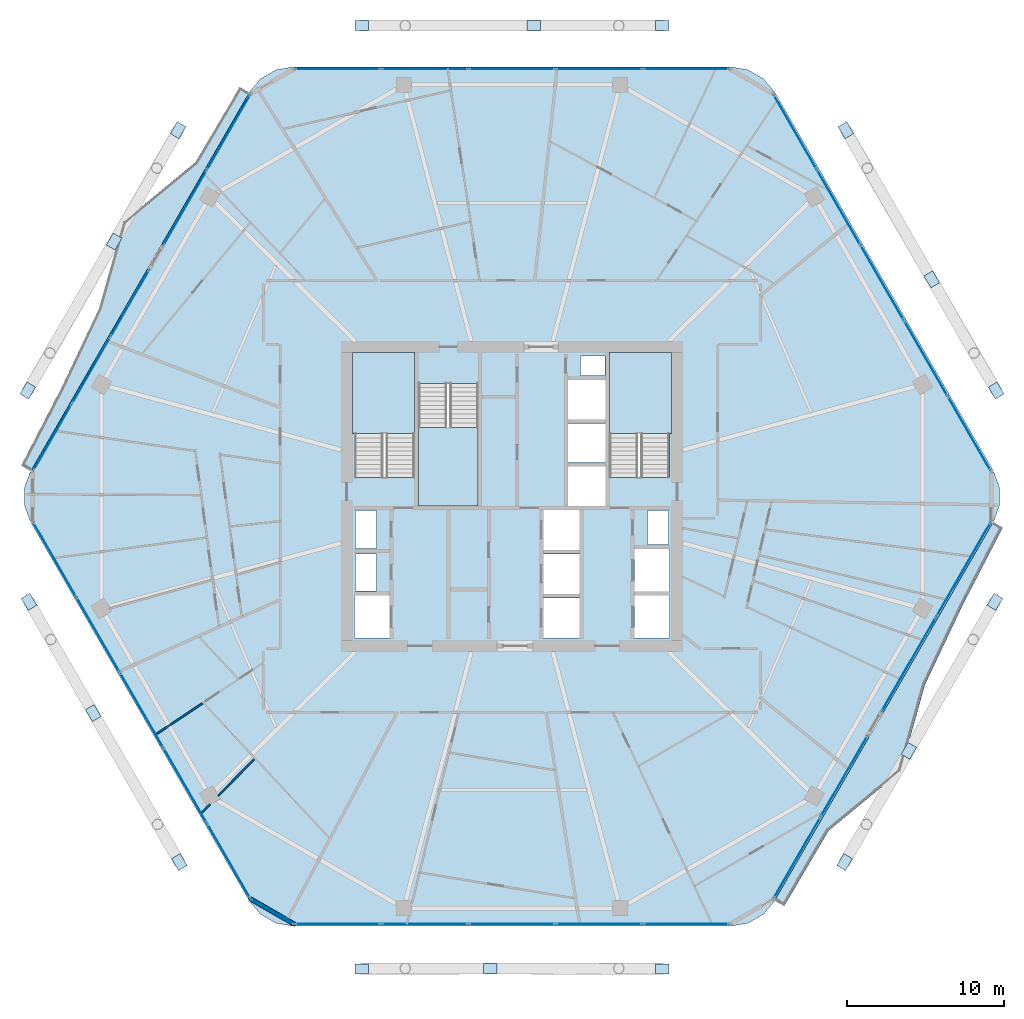
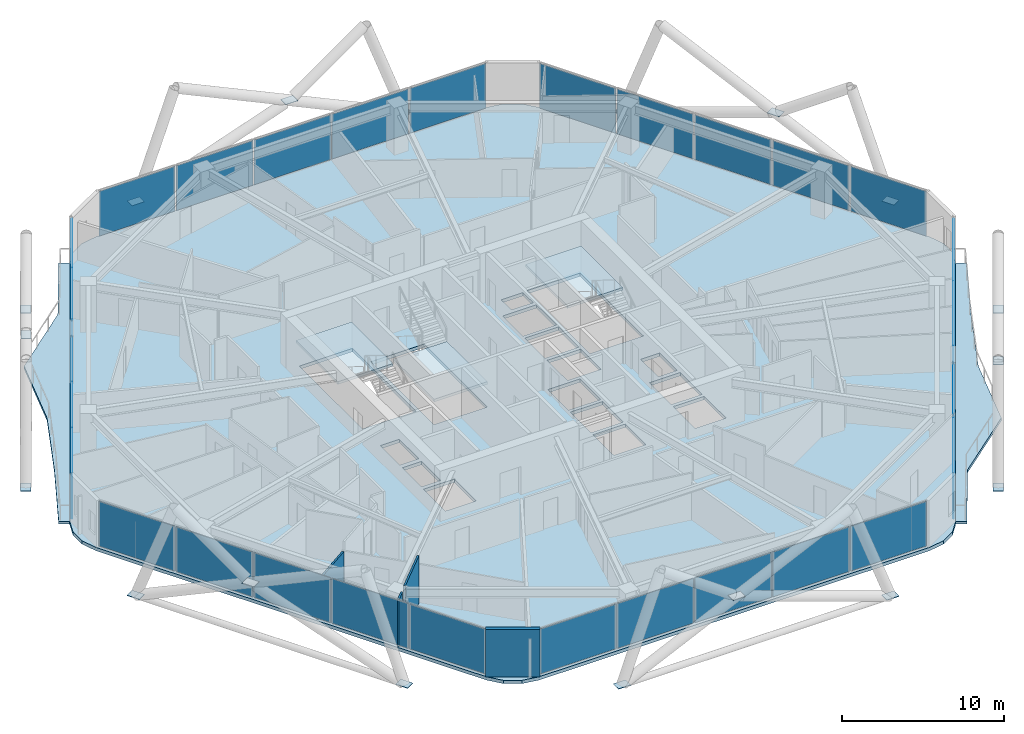
# One storey, part 21 of 30: 47 plates, 6 slabs, 4 walls, 11 elements without a shape of their own.
"""IFC4 building model written with IfcOpenShell, lengths in metres."""

from ifc_helpers import new_model, si_unit, direction, frame, frame_2d, origin, origin_2d, place, context, subcontext, project, spatial, polyline, rectangle, outline, extrude, material, layer, layer_set, type_object, element, aggregate, save


model = new_model("IFC4")

# Units and contexts
model_context = context("Model", 3, precision=1e-05, world=origin(), true_north=direction((0.0, 1.0)))
body_context = subcontext(model_context, "Body", "Model", "MODEL_VIEW")
ifc_project = project(units=[si_unit("LENGTHUNIT", "METRE"), si_unit("AREAUNIT", "SQUARE_METRE"), si_unit("VOLUMEUNIT", "CUBIC_METRE"), si_unit("PLANEANGLEUNIT", "RADIAN"), si_unit("MASSUNIT", "GRAM", prefix="KILO")], contexts=[model_context])

# Site, building, storey
site_placement = place(None, origin())
site = spatial("IfcSite", under=ifc_project, at=site_placement, CompositionType="ELEMENT")
building_placement = place(site_placement, origin())
building = spatial("IfcBuilding", under=site, at=building_placement, Name="Zuhravey Tower", CompositionType="ELEMENT")
storey_placement = place(building_placement, frame((0.0, 0.0, 177.0)))
storey = spatial("IfcBuildingStorey", under=building, at=storey_placement, Name="L44", CompositionType="ELEMENT", Elevation=177.0)

# Plates
ifc_material_1 = material(Name="Steel SM460", Category="steel")
ifc_layer_1 = layer(ifc_material_1, 0.035888671875)
ifc_layer_set_1 = layer_set([ifc_layer_1], Name="Steel SM460")
plate_type_1 = type_object("IfcPlateType", Name="Exoskeleton Zone 2 Node Plate ND2", PredefinedType="SHEET", material=ifc_layer_set_1)
for number, where, z_axis, x_axis, name in (
    (1, (66.786865234375, 38.74169921875, -0.48193359375), (0.0, 0.0, 1.0), (-0.5, 0.866025403784, 0.0), "L44 Exoskeleton Node Gusset L44-01"),
    (2, (57.23193359375, 55.29150390625, -0.48193359375), (0.0, 0.0, 1.0), (-0.5, 0.866025403784, 0.0), "L44 Exoskeleton Node Gusset L44-02"),
    (3, (45.554931640625, 61.943115234375, -0.48193359375), (0.0, 0.0, 1.0), (-1.0, 0.0, 0.0), "L44 Exoskeleton Node Gusset L44-03"),
    (4, (26.445068359375, 61.943115234375, -0.48193359375), (0.0, 0.0, 1.0), (-1.0, 0.0, 0.0), "L44 Exoskeleton Node Gusset L44-04"),
    (5, (14.76806640625, 55.29150390625, -0.48193359375), (0.0, 0.0, 1.0), (-0.5, -0.866025403784, 0.0), "L44 Exoskeleton Node Gusset L44-05"),
    (6, (5.213134765625, 38.74169921875, -0.48193359375), (0.0, 0.0, 1.0), (-0.5, -0.866025403784, 0.0), "L44 Exoskeleton Node Gusset L44-06"),
    (7, (5.291015625, 25.30322265625, -0.48193359375), (0.0, 0.0, 1.0), (0.5, -0.866025403784, 0.0), "L44 Exoskeleton Node Gusset L44-07"),
    (8, (14.845947265625, 8.753662109375, -0.48193359375), (0.0, 0.0, 1.0), (0.5, -0.866025403784, 0.0), "L44 Exoskeleton Node Gusset L44-08"),
    (9, (26.445068359375, 1.966796875, -0.48193359375), (0.0, 0.0, 1.0), (1.0, 0.0, 0.0), "L44 Exoskeleton Node Gusset L44-09"),
    (10, (45.554931640625, 1.966796875, -0.48193359375), (0.0, 0.0, 1.0), (1.0, 0.0, 0.0), "L44 Exoskeleton Node Gusset L44-10"),
    (11, (57.154052734375, 8.753662109375, -0.48193359375), (0.0, 0.0, 1.0), (0.5, 0.866025403784, 0.0), "L44 Exoskeleton Node Gusset L44-11"),
    (12, (66.708984375, 25.30322265625, -0.48193359375), (0.0, 0.0, 1.0), (0.5, 0.866025403784, 0.0), "L44 Exoskeleton Node Gusset L44-12"),
    (13, (62.68994140625, 45.807861328125, 3.31787109375), (0.0, 0.0, 1.0), (-0.5, 0.866025403784, 0.0), "L44 Face 1 Diagrid X-Crossing Plate"),
    (14, (37.386962890625, 61.943115234375, 3.31787109375), (0.0, 0.0, 1.0), (-1.0, 0.0, 0.0), "L44 Face 2 Diagrid X-Crossing Plate"),
    (15, (10.697021484375, 48.210205078125, 3.31787109375), (0.0, 0.0, 1.0), (-0.5, -0.866025403784, 0.0), "L44 Face 3 Diagrid X-Crossing Plate"),
    (16, (9.375, 18.2294921875, 3.31787109375), (0.0, 0.0, 1.0), (0.5, -0.866025403784, 0.0), "L44 Face 4 Diagrid X-Crossing Plate"),
    (17, (34.613037109375, 1.98193359375, 3.31787109375), (0.0, 0.0, 1.0), (1.0, 0.0, 0.0), "L44 Face 5 Diagrid X-Crossing Plate"),
    (18, (61.238037109375, 15.8271484375, 3.31787109375), (0.0, 0.0, 1.0), (0.5, 0.866025403784, 0.0), "L44 Face 6 Diagrid X-Crossing Plate"),
):
    element("IfcPlate", number, at=place(storey_placement, frame(where, z_axis=z_axis, x_axis=x_axis)), inside=storey, type_object=plate_type_1, Name=name, PredefinedType="SHEET", context=body_context, shape_type="SweptSolid", body=[
        extrude(rectangle(XDim=0.8798828125, YDim=0.639892578125, at=origin_2d()), origin(), (0.0, 0.0, 1.0), 0.035888671875),
    ])

# Slabs
ifc_material_2 = material(Name="Concrete C50/60", Category="concrete")
ifc_layer_2 = layer(ifc_material_2, 0.25)
ifc_layer_set_2 = layer_set([ifc_layer_2], Name="Concrete C50/60")
slab_type_1 = type_object("IfcSlabType", Name="Residential Acoustic Slab 250", PredefinedType="FLOOR", material=ifc_layer_set_2)
slab_1_placement = place(storey_placement, frame((0.0, 0.0, -0.25)))
element("IfcSlab", 19, at=slab_1_placement, inside=storey, type_object=slab_type_1, Name="L44 Floor Slab FS25", PredefinedType="FLOOR", context=body_context, shape_type="SweptSolid", body=[
    extrude(outline(polyline([(66.61181640625, 30.375), (66.997802734375, 31.435546875), (66.997802734375, 32.564453125), (66.61181640625, 33.625), (52.713134765625, 57.697998046875), (51.98779296875, 58.562744140625), (51.01025390625, 59.127197265625), (49.898681640625, 59.322998046875), (22.101318359375, 59.322998046875), (20.98974609375, 59.127197265625), (20.01220703125, 58.562744140625), (19.286865234375, 57.697998046875), (5.38818359375, 33.625), (5.002197265625, 32.564453125), (5.002197265625, 31.435546875), (5.38818359375, 30.375), (19.286865234375, 6.302001953125), (20.01220703125, 5.437255859375), (20.98974609375, 4.872802734375), (22.101318359375, 4.677001953125), (49.898681640625, 4.677001953125), (51.01025390625, 4.872802734375), (51.98779296875, 5.437255859375), (52.713134765625, 6.302001953125), (66.61181640625, 30.375)]), holes=[polyline([(29.800048828125, 33.20068359375), (29.800048828125, 41.0), (26.0, 41.0), (26.0, 33.20068359375), (29.800048828125, 33.20068359375)]), polyline([(46.0, 33.20068359375), (46.0, 41.0), (42.199951171875, 41.0), (42.199951171875, 33.20068359375), (46.0, 33.20068359375)]), polyline([(30.050048828125, 39.199462890625), (30.050048828125, 31.39990234375), (33.85009765625, 31.39990234375), (33.85009765625, 39.199462890625), (30.050048828125, 39.199462890625)]), polyline([(38.0, 23.0), (40.300048828125, 23.0), (40.300048828125, 25.550048828125), (38.0, 25.550048828125), (38.0, 23.0)]), polyline([(38.0, 25.800048828125), (40.300048828125, 25.800048828125), (40.300048828125, 28.35009765625), (38.0, 28.35009765625), (38.0, 25.800048828125)]), polyline([(38.0, 28.60009765625), (40.300048828125, 28.60009765625), (40.300048828125, 31.14990234375), (38.0, 31.14990234375), (38.0, 28.60009765625)]), polyline([(39.550048828125, 31.39990234375), (41.949951171875, 31.39990234375), (41.949951171875, 33.89990234375), (39.550048828125, 33.89990234375), (39.550048828125, 31.39990234375)]), polyline([(39.550048828125, 34.14990234375), (41.949951171875, 34.14990234375), (41.949951171875, 36.64990234375), (39.550048828125, 36.64990234375), (39.550048828125, 34.14990234375)]), polyline([(39.550048828125, 36.89990234375), (41.949951171875, 36.89990234375), (41.949951171875, 39.39990234375), (39.550048828125, 39.39990234375), (39.550048828125, 36.89990234375)]), polyline([(26.0, 23.0), (28.199951171875, 23.0), (28.199951171875, 25.699951171875), (26.0, 25.699951171875), (26.0, 23.0)]), polyline([(43.800048828125, 23.0), (46.0, 23.0), (46.0, 25.699951171875), (43.800048828125, 25.699951171875), (43.800048828125, 23.0)]), polyline([(43.800048828125, 25.949951171875), (46.0, 25.949951171875), (46.0, 28.64990234375), (43.800048828125, 28.64990234375), (43.800048828125, 25.949951171875)]), polyline([(26.050048828125, 26.0), (27.39990234375, 26.0), (27.39990234375, 28.35009765625), (26.050048828125, 28.35009765625), (26.050048828125, 26.0)]), polyline([(26.050048828125, 28.699951171875), (27.39990234375, 28.699951171875), (27.39990234375, 31.10009765625), (26.050048828125, 31.10009765625), (26.050048828125, 28.699951171875)]), polyline([(44.60009765625, 28.949951171875), (45.949951171875, 28.949951171875), (45.949951171875, 31.10009765625), (44.60009765625, 31.10009765625), (44.60009765625, 28.949951171875)]), polyline([(40.35009765625, 39.699951171875), (41.89990234375, 39.699951171875), (41.89990234375, 40.949951171875), (40.35009765625, 40.949951171875), (40.35009765625, 39.699951171875)])]), origin(), (0.0, 0.0, 1.0), 0.25),
])
ifc_material_3 = material(Name="Concrete C40/50", Category="concrete")
ifc_layer_3 = layer(ifc_material_3, 0.219970703125)
ifc_layer_set_3 = layer_set([ifc_layer_3], Name="Concrete C40/50")
slab_type_2 = type_object("IfcSlabType", Name="Sinusoidal Residential Wave Balcony 220", PredefinedType="FLOOR", material=ifc_layer_set_3)
slab_2_placement = place(storey_placement, frame((0.0, 0.0, -0.219970703125)))
element("IfcSlab", 20, at=slab_2_placement, inside=storey, type_object=slab_type_2, Name="L44 Face 3 Wave Balcony WB22", PredefinedType="FLOOR", context=body_context, shape_type="SweptSolid", body=[
    extrude(outline(polyline([(19.29541015625, 57.68310546875), (5.405517578125, 33.625), (4.79931640625, 33.97509765625), (7.350341796875, 38.917724609375), (9.73681640625, 43.955078125), (11.28955078125, 49.474365234375), (15.864990234375, 53.248291015625), (18.689208984375, 58.033203125), (19.29541015625, 57.68310546875)])), origin(), (0.0, 0.0, 1.0), 0.219970703125),
])
slab_3_placement = place(storey_placement, frame((0.0, 0.0, -0.219970703125)))
element("IfcSlab", 21, at=slab_3_placement, inside=storey, type_object=slab_type_2, Name="L44 Face 6 Wave Balcony WB22", PredefinedType="FLOOR", context=body_context, shape_type="SweptSolid", body=[
    extrude(outline(polyline([(52.70458984375, 6.31689453125), (66.594482421875, 30.375), (67.20068359375, 30.02490234375), (64.649658203125, 25.082275390625), (62.26318359375, 20.044921875), (60.71044921875, 14.525634765625), (56.135009765625, 10.751708984375), (53.310791015625, 5.966796875), (52.70458984375, 6.31689453125)])), origin(), (0.0, 0.0, 1.0), 0.219970703125),
])

# Stair, slab
stair_type = type_object("IfcStairType", Name="Housing Storey Stair Assembly 3800", PredefinedType="HALF_TURN_STAIR", material=ifc_material_3)
stair_1_placement = place(storey_placement, origin())
stair_1 = element("IfcStair", 22, at=stair_1_placement, inside=storey, type_object=stair_type, Name="L44 Core Exit Stair ST1", PredefinedType="HALF_TURN_STAIR")
ifc_layer_4 = layer(ifc_material_3, 0.199951171875)
ifc_layer_set_4 = layer_set([ifc_layer_4], Name="Concrete C40/50")
slab_type_3 = type_object("IfcSlabType", Name="Stair Landing Slab 200", PredefinedType="LANDING", material=ifc_layer_set_4)
slab_4_placement = place(storey_placement, frame((0.0, 0.0, 1.699951171875)))
slab_4 = element("IfcSlab", 23, at=slab_4_placement, type_object=slab_type_3, Name="ST1 landing 1", PredefinedType="LANDING", context=body_context, shape_type="SweptSolid", body=[
    extrude(outline(polyline([(29.800048828125, 36.0), (29.800048828125, 41.14794921875), (25.85205078125, 41.14794921875), (25.85205078125, 36.0), (29.800048828125, 36.0)])), origin(), (0.0, 0.0, 1.0), 0.199951171875),
])
aggregate(stair_1, [slab_4])

stair_2_placement = place(storey_placement, origin())
stair_2 = element("IfcStair", 24, at=stair_2_placement, inside=storey, type_object=stair_type, Name="L44 Core Exit Stair ST2", PredefinedType="HALF_TURN_STAIR")
slab_5_placement = place(storey_placement, frame((0.0, 0.0, 1.699951171875)))
slab_5 = element("IfcSlab", 25, at=slab_5_placement, type_object=slab_type_3, Name="ST2 landing 1", PredefinedType="LANDING", context=body_context, shape_type="SweptSolid", body=[
    extrude(outline(polyline([(46.14794921875, 36.0), (46.14794921875, 41.14794921875), (42.199951171875, 41.14794921875), (42.199951171875, 36.0), (46.14794921875, 36.0)])), origin(), (0.0, 0.0, 1.0), 0.199951171875),
])
aggregate(stair_2, [slab_5])

stair_3_placement = place(storey_placement, origin())
stair_3 = element("IfcStair", 26, at=stair_3_placement, inside=storey, type_object=stair_type, Name="L44 Core Exit Stair ST3", PredefinedType="HALF_TURN_STAIR")
slab_6_placement = place(storey_placement, frame((0.0, 0.0, 1.699951171875)))
slab_6 = element("IfcSlab", 27, at=slab_6_placement, type_object=slab_type_3, Name="ST3 landing 1", PredefinedType="LANDING", context=body_context, shape_type="SweptSolid", body=[
    extrude(outline(polyline([(30.050048828125, 36.39990234375), (30.050048828125, 31.39990234375), (33.85009765625, 31.39990234375), (33.85009765625, 36.39990234375), (30.050048828125, 36.39990234375)])), origin(), (0.0, 0.0, 1.0), 0.199951171875),
])
aggregate(stair_3, [slab_6])

# Curtain wall, plates
ifc_material_4 = material(Name="Thermally broken anodised aluminium", Category="aluminium")
curtain_wall_type = type_object("IfcCurtainWallType", Name="Zone 1-2 Residential Curtain Wall CW3", PredefinedType="NOTDEFINED", material=ifc_material_4)
curtain_wall_1_placement = place(storey_placement, origin())
curtain_wall_1 = element("IfcCurtainWall", 28, at=curtain_wall_1_placement, inside=storey, type_object=curtain_wall_type, Name="L44 CW3 CW-L44-F6-1", PredefinedType="NOTDEFINED")
ifc_material_5 = material(Name="Triple low-E insulated vision glass", Category="glass")
ifc_layer_5 = layer(ifc_material_5, 0.0419921875)
ifc_layer_set_5 = layer_set([ifc_layer_5], Name="Triple low-E insulated vision glass")
plate_type_2 = type_object("IfcPlateType", Name="Triple Low-E Vision Panel", PredefinedType="CURTAIN_PANEL", material=ifc_layer_set_5)
plate_1_placement = place(storey_placement, frame((64.7109375, 27.36279296875, 0.08984375), z_axis=(0.0, 0.0, 1.0), x_axis=(-0.500003439186, -0.86602341816, 0.0)))
plate_1 = element("IfcPlate", 29, at=plate_1_placement, type_object=plate_type_2, Name="CW3 panel 1.1", PredefinedType="CURTAIN_PANEL", context=body_context, shape_type="SweptSolid", body=[
    extrude(rectangle(XDim=6.86328125, YDim=0.0419921875, at=origin_2d()), origin(), (0.0, 0.0, 1.0), 3.3701171875),
])
plate_2_placement = place(storey_placement, frame((61.234375, 21.341064453125, 0.08984375), z_axis=(0.0, 0.0, 1.0), x_axis=(-0.500003439186, -0.86602341816, 0.0)))
plate_2 = element("IfcPlate", 30, at=plate_2_placement, type_object=plate_type_2, Name="CW3 panel 2.1", PredefinedType="CURTAIN_PANEL", context=body_context, shape_type="SweptSolid", body=[
    extrude(rectangle(XDim=6.86328125, YDim=0.0419921875, at=origin_2d()), origin(), (0.0, 0.0, 1.0), 3.3701171875),
])
aggregate(curtain_wall_1, [plate_1, plate_2])

curtain_wall_2_placement = place(storey_placement, origin())
curtain_wall_2 = element("IfcCurtainWall", 31, at=curtain_wall_2_placement, inside=storey, type_object=curtain_wall_type, Name="L44 CW3 CW-L44-F6-2", PredefinedType="NOTDEFINED")
plate_3_placement = place(storey_placement, frame((57.109130859375, 14.19580078125, 0.08984375), z_axis=(0.0, 0.0, 1.0), x_axis=(-0.499999103257, -0.866025921518, 0.0)))
plate_3 = element("IfcPlate", 32, at=plate_3_placement, type_object=plate_type_2, Name="CW3 panel 1.1", PredefinedType="CURTAIN_PANEL", context=body_context, shape_type="SweptSolid", body=[
    extrude(rectangle(XDim=5.8779296875, YDim=0.0419921875, at=origin_2d()), origin(), (0.0, 0.0, 1.0), 3.3701171875),
])
plate_4_placement = place(storey_placement, frame((54.125244140625, 9.027587890625, 0.08984375), z_axis=(0.0, 0.0, 1.0), x_axis=(-0.499999103257, -0.866025921518, 0.0)))
plate_4 = element("IfcPlate", 33, at=plate_4_placement, type_object=plate_type_2, Name="CW3 panel 2.1", PredefinedType="CURTAIN_PANEL", context=body_context, shape_type="SweptSolid", body=[
    extrude(rectangle(XDim=5.8779296875, YDim=0.0419921875, at=origin_2d()), origin(), (0.0, 0.0, 1.0), 3.3701171875),
])
aggregate(curtain_wall_2, [plate_3, plate_4])

curtain_wall_3_placement = place(storey_placement, origin())
curtain_wall_3 = element("IfcCurtainWall", 34, at=curtain_wall_3_placement, inside=storey, type_object=curtain_wall_type, Name="L44 CW3 CW-L44-F5-1", PredefinedType="NOTDEFINED")
plate_5_placement = place(storey_placement, frame((47.06640625, 4.81689453125, 0.08984375), z_axis=(0.0, 0.0, 1.0), x_axis=(-1.0, 0.0, 0.0)))
plate_5 = element("IfcPlate", 35, at=plate_5_placement, type_object=plate_type_2, Name="CW3 panel 1.1", PredefinedType="CURTAIN_PANEL", context=body_context, shape_type="SweptSolid", body=[
    extrude(rectangle(XDim=5.409423828125, YDim=0.0419921875, at=origin_2d()), origin(), (0.0, 0.0, 1.0), 3.3701171875),
])
plate_6_placement = place(storey_placement, frame((41.54443359375, 4.81689453125, 0.08984375), z_axis=(0.0, 0.0, 1.0), x_axis=(-1.0, 0.0, 0.0)))
plate_6 = element("IfcPlate", 36, at=plate_6_placement, type_object=plate_type_2, Name="CW3 panel 2.1", PredefinedType="CURTAIN_PANEL", context=body_context, shape_type="SweptSolid", body=[
    extrude(rectangle(XDim=5.454345703125, YDim=0.0419921875, at=origin_2d()), origin(), (0.0, 0.0, 1.0), 3.3701171875),
])
plate_7_placement = place(storey_placement, frame((36.0, 4.81689453125, 0.08984375), z_axis=(0.0, 0.0, 1.0), x_axis=(-1.0, 0.0, 0.0)))
plate_7 = element("IfcPlate", 37, at=plate_7_placement, type_object=plate_type_2, Name="CW3 panel 3.1", PredefinedType="CURTAIN_PANEL", context=body_context, shape_type="SweptSolid", body=[
    extrude(rectangle(XDim=5.454345703125, YDim=0.0419921875, at=origin_2d()), origin(), (0.0, 0.0, 1.0), 3.3701171875),
])
plate_8_placement = place(storey_placement, frame((30.45556640625, 4.81689453125, 0.08984375), z_axis=(0.0, 0.0, 1.0), x_axis=(-1.0, 0.0, 0.0)))
plate_8 = element("IfcPlate", 38, at=plate_8_placement, type_object=plate_type_2, Name="CW3 panel 4.1", PredefinedType="CURTAIN_PANEL", context=body_context, shape_type="SweptSolid", body=[
    extrude(rectangle(XDim=5.454345703125, YDim=0.0419921875, at=origin_2d()), origin(), (0.0, 0.0, 1.0), 3.3701171875),
])
plate_9_placement = place(storey_placement, frame((24.93359375, 4.81689453125, 0.08984375), z_axis=(0.0, 0.0, 1.0), x_axis=(-1.0, 0.0, 0.0)))
plate_9 = element("IfcPlate", 39, at=plate_9_placement, type_object=plate_type_2, Name="CW3 panel 5.1", PredefinedType="CURTAIN_PANEL", context=body_context, shape_type="SweptSolid", body=[
    extrude(rectangle(XDim=5.409423828125, YDim=0.0419921875, at=origin_2d()), origin(), (0.0, 0.0, 1.0), 3.3701171875),
])
aggregate(curtain_wall_3, [plate_5, plate_6, plate_7, plate_8, plate_9])

curtain_wall_4_placement = place(storey_placement, origin())
curtain_wall_4 = element("IfcCurtainWall", 40, at=curtain_wall_4_placement, inside=storey, type_object=curtain_wall_type, Name="L44 CW3 CW-L44-F4-1", PredefinedType="NOTDEFINED")
plate_10_placement = place(storey_placement, frame((17.991943359375, 8.82470703125, 0.08984375), z_axis=(0.0, 0.0, 1.0), x_axis=(-0.500000459979, 0.866025138215, 0.0)))
plate_10 = element("IfcPlate", 41, at=plate_10_placement, type_object=plate_type_2, Name="CW3 panel 1.1", PredefinedType="CURTAIN_PANEL", context=body_context, shape_type="SweptSolid", body=[
    extrude(rectangle(XDim=5.409423828125, YDim=0.0419921875, at=origin_2d()), origin(), (0.0, 0.0, 1.0), 3.3701171875),
])
plate_11_placement = place(storey_placement, frame((15.23095703125, 13.60693359375, 0.08984375), z_axis=(0.0, 0.0, 1.0), x_axis=(-0.500000459979, 0.866025138215, 0.0)))
plate_11 = element("IfcPlate", 42, at=plate_11_placement, type_object=plate_type_2, Name="CW3 panel 2.1", PredefinedType="CURTAIN_PANEL", context=body_context, shape_type="SweptSolid", body=[
    extrude(rectangle(XDim=5.454345703125, YDim=0.0419921875, at=origin_2d()), origin(), (0.0, 0.0, 1.0), 3.3701171875),
])
plate_12_placement = place(storey_placement, frame((12.458740234375, 18.408447265625, 0.08984375), z_axis=(0.0, 0.0, 1.0), x_axis=(-0.500000459979, 0.866025138215, 0.0)))
plate_12 = element("IfcPlate", 43, at=plate_12_placement, type_object=plate_type_2, Name="CW3 panel 3.1", PredefinedType="CURTAIN_PANEL", context=body_context, shape_type="SweptSolid", body=[
    extrude(rectangle(XDim=5.454345703125, YDim=0.0419921875, at=origin_2d()), origin(), (0.0, 0.0, 1.0), 3.3701171875),
])
plate_13_placement = place(storey_placement, frame((9.6865234375, 23.2099609375, 0.08984375), z_axis=(0.0, 0.0, 1.0), x_axis=(-0.500000459979, 0.866025138215, 0.0)))
plate_13 = element("IfcPlate", 44, at=plate_13_placement, type_object=plate_type_2, Name="CW3 panel 4.1", PredefinedType="CURTAIN_PANEL", context=body_context, shape_type="SweptSolid", body=[
    extrude(rectangle(XDim=5.454345703125, YDim=0.0419921875, at=origin_2d()), origin(), (0.0, 0.0, 1.0), 3.3701171875),
])
plate_14_placement = place(storey_placement, frame((6.925537109375, 27.9921875, 0.08984375), z_axis=(0.0, 0.0, 1.0), x_axis=(-0.500000459979, 0.866025138215, 0.0)))
plate_14 = element("IfcPlate", 45, at=plate_14_placement, type_object=plate_type_2, Name="CW3 panel 5.1", PredefinedType="CURTAIN_PANEL", context=body_context, shape_type="SweptSolid", body=[
    extrude(rectangle(XDim=5.409423828125, YDim=0.0419921875, at=origin_2d()), origin(), (0.0, 0.0, 1.0), 3.3701171875),
])
aggregate(curtain_wall_4, [plate_10, plate_11, plate_12, plate_13, plate_14])

curtain_wall_5_placement = place(storey_placement, origin())
curtain_wall_5 = element("IfcCurtainWall", 46, at=curtain_wall_5_placement, inside=storey, type_object=curtain_wall_type, Name="L44 CW3 CW-L44-F3-1", PredefinedType="NOTDEFINED")
plate_15_placement = place(storey_placement, frame((6.77734375, 35.751220703125, 0.08984375), z_axis=(0.0, 0.0, 1.0), x_axis=(0.50000021492, 0.8660252797, 0.0)))
plate_15 = element("IfcPlate", 47, at=plate_15_placement, type_object=plate_type_2, Name="CW3 panel 1.1", PredefinedType="CURTAIN_PANEL", context=body_context, shape_type="SweptSolid", body=[
    extrude(rectangle(XDim=4.816650390625, YDim=0.0419921875, at=origin_2d()), origin(), (0.0, 0.0, 1.0), 3.3701171875),
])
plate_16_placement = place(storey_placement, frame((9.241943359375, 40.02001953125, 0.08984375), z_axis=(0.0, 0.0, 1.0), x_axis=(0.50000021492, 0.8660252797, 0.0)))
plate_16 = element("IfcPlate", 48, at=plate_16_placement, type_object=plate_type_2, Name="CW3 panel 2.1", PredefinedType="CURTAIN_PANEL", context=body_context, shape_type="SweptSolid", body=[
    extrude(rectangle(XDim=4.861572265625, YDim=0.0419921875, at=origin_2d()), origin(), (0.0, 0.0, 1.0), 3.3701171875),
])
plate_17_placement = place(storey_placement, frame((11.70654296875, 44.28857421875, 0.08984375), z_axis=(0.0, 0.0, 1.0), x_axis=(0.50000021492, 0.8660252797, 0.0)))
plate_17 = element("IfcPlate", 49, at=plate_17_placement, type_object=plate_type_2, Name="CW3 panel 3.1", PredefinedType="CURTAIN_PANEL", context=body_context, shape_type="SweptSolid", body=[
    extrude(rectangle(XDim=4.816650390625, YDim=0.0419921875, at=origin_2d()), origin(), (0.0, 0.0, 1.0), 3.3701171875),
])
aggregate(curtain_wall_5, [plate_15, plate_16, plate_17])

curtain_wall_6_placement = place(storey_placement, origin())
curtain_wall_6 = element("IfcCurtainWall", 50, at=curtain_wall_6_placement, inside=storey, type_object=curtain_wall_type, Name="L44 CW3 CW-L44-F3-2", PredefinedType="NOTDEFINED")
plate_18_placement = place(storey_placement, frame((15.212890625, 50.36181640625, 0.08984375), z_axis=(0.0, 0.0, 1.0), x_axis=(0.499999181417, 0.866025876393, 0.0)))
plate_18 = element("IfcPlate", 51, at=plate_18_placement, type_object=plate_type_2, Name="CW3 panel 1.1", PredefinedType="CURTAIN_PANEL", context=body_context, shape_type="SweptSolid", body=[
    extrude(rectangle(XDim=5.44873046875, YDim=0.0419921875, at=origin_2d()), origin(), (0.0, 0.0, 1.0), 3.3701171875),
])
plate_19_placement = place(storey_placement, frame((17.982177734375, 55.158447265625, 0.08984375), z_axis=(0.0, 0.0, 1.0), x_axis=(0.499999181417, 0.866025876393, 0.0)))
plate_19 = element("IfcPlate", 52, at=plate_19_placement, type_object=plate_type_2, Name="CW3 panel 2.1", PredefinedType="CURTAIN_PANEL", context=body_context, shape_type="SweptSolid", body=[
    extrude(rectangle(XDim=5.44873046875, YDim=0.0419921875, at=origin_2d()), origin(), (0.0, 0.0, 1.0), 3.3701171875),
])
aggregate(curtain_wall_6, [plate_18, plate_19])

curtain_wall_7_placement = place(storey_placement, origin())
curtain_wall_7 = element("IfcCurtainWall", 53, at=curtain_wall_7_placement, inside=storey, type_object=curtain_wall_type, Name="L44 CW3 CW-L44-F2-1", PredefinedType="NOTDEFINED")
plate_20_placement = place(storey_placement, frame((24.93359375, 59.18310546875, 0.08984375), z_axis=(0.0, 0.0, 1.0), x_axis=(1.0, 0.0, 0.0)))
plate_20 = element("IfcPlate", 54, at=plate_20_placement, type_object=plate_type_2, Name="CW3 panel 1.1", PredefinedType="CURTAIN_PANEL", context=body_context, shape_type="SweptSolid", body=[
    extrude(rectangle(XDim=5.409423828125, YDim=0.0419921875, at=origin_2d()), origin(), (0.0, 0.0, 1.0), 3.3701171875),
])
plate_21_placement = place(storey_placement, frame((30.45556640625, 59.18310546875, 0.08984375), z_axis=(0.0, 0.0, 1.0), x_axis=(1.0, 0.0, 0.0)))
plate_21 = element("IfcPlate", 55, at=plate_21_placement, type_object=plate_type_2, Name="CW3 panel 2.1", PredefinedType="CURTAIN_PANEL", context=body_context, shape_type="SweptSolid", body=[
    extrude(rectangle(XDim=5.454345703125, YDim=0.0419921875, at=origin_2d()), origin(), (0.0, 0.0, 1.0), 3.3701171875),
])
plate_22_placement = place(storey_placement, frame((36.0, 59.18310546875, 0.08984375), z_axis=(0.0, 0.0, 1.0), x_axis=(1.0, 0.0, 0.0)))
plate_22 = element("IfcPlate", 56, at=plate_22_placement, type_object=plate_type_2, Name="CW3 panel 3.1", PredefinedType="CURTAIN_PANEL", context=body_context, shape_type="SweptSolid", body=[
    extrude(rectangle(XDim=5.454345703125, YDim=0.0419921875, at=origin_2d()), origin(), (0.0, 0.0, 1.0), 3.3701171875),
])
plate_23_placement = place(storey_placement, frame((41.54443359375, 59.18310546875, 0.08984375), z_axis=(0.0, 0.0, 1.0), x_axis=(1.0, 0.0, 0.0)))
plate_23 = element("IfcPlate", 57, at=plate_23_placement, type_object=plate_type_2, Name="CW3 panel 4.1", PredefinedType="CURTAIN_PANEL", context=body_context, shape_type="SweptSolid", body=[
    extrude(rectangle(XDim=5.454345703125, YDim=0.0419921875, at=origin_2d()), origin(), (0.0, 0.0, 1.0), 3.3701171875),
])
plate_24_placement = place(storey_placement, frame((47.06640625, 59.18310546875, 0.08984375), z_axis=(0.0, 0.0, 1.0), x_axis=(1.0, 0.0, 0.0)))
plate_24 = element("IfcPlate", 58, at=plate_24_placement, type_object=plate_type_2, Name="CW3 panel 5.1", PredefinedType="CURTAIN_PANEL", context=body_context, shape_type="SweptSolid", body=[
    extrude(rectangle(XDim=5.409423828125, YDim=0.0419921875, at=origin_2d()), origin(), (0.0, 0.0, 1.0), 3.3701171875),
])
aggregate(curtain_wall_7, [plate_20, plate_21, plate_22, plate_23, plate_24])

curtain_wall_8_placement = place(storey_placement, origin())
curtain_wall_8 = element("IfcCurtainWall", 59, at=curtain_wall_8_placement, inside=storey, type_object=curtain_wall_type, Name="L44 CW3 CW-L44-F1-1", PredefinedType="NOTDEFINED")
plate_25_placement = place(storey_placement, frame((54.008056640625, 55.17529296875, 0.08984375), z_axis=(0.0, 0.0, 1.0), x_axis=(0.500000459979, -0.866025138215, 0.0)))
plate_25 = element("IfcPlate", 60, at=plate_25_placement, type_object=plate_type_2, Name="CW3 panel 1.1", PredefinedType="CURTAIN_PANEL", context=body_context, shape_type="SweptSolid", body=[
    extrude(rectangle(XDim=5.409423828125, YDim=0.0419921875, at=origin_2d()), origin(), (0.0, 0.0, 1.0), 3.3701171875),
])
plate_26_placement = place(storey_placement, frame((56.76904296875, 50.39306640625, 0.08984375), z_axis=(0.0, 0.0, 1.0), x_axis=(0.500000459979, -0.866025138215, 0.0)))
plate_26 = element("IfcPlate", 61, at=plate_26_placement, type_object=plate_type_2, Name="CW3 panel 2.1", PredefinedType="CURTAIN_PANEL", context=body_context, shape_type="SweptSolid", body=[
    extrude(rectangle(XDim=5.454345703125, YDim=0.0419921875, at=origin_2d()), origin(), (0.0, 0.0, 1.0), 3.3701171875),
])
plate_27_placement = place(storey_placement, frame((59.541259765625, 45.591552734375, 0.08984375), z_axis=(0.0, 0.0, 1.0), x_axis=(0.500000459979, -0.866025138215, 0.0)))
plate_27 = element("IfcPlate", 62, at=plate_27_placement, type_object=plate_type_2, Name="CW3 panel 3.1", PredefinedType="CURTAIN_PANEL", context=body_context, shape_type="SweptSolid", body=[
    extrude(rectangle(XDim=5.454345703125, YDim=0.0419921875, at=origin_2d()), origin(), (0.0, 0.0, 1.0), 3.3701171875),
])
plate_28_placement = place(storey_placement, frame((62.3134765625, 40.7900390625, 0.08984375), z_axis=(0.0, 0.0, 1.0), x_axis=(0.500000459979, -0.866025138215, 0.0)))
plate_28 = element("IfcPlate", 63, at=plate_28_placement, type_object=plate_type_2, Name="CW3 panel 4.1", PredefinedType="CURTAIN_PANEL", context=body_context, shape_type="SweptSolid", body=[
    extrude(rectangle(XDim=5.454345703125, YDim=0.0419921875, at=origin_2d()), origin(), (0.0, 0.0, 1.0), 3.3701171875),
])
plate_29_placement = place(storey_placement, frame((65.074462890625, 36.0078125, 0.08984375), z_axis=(0.0, 0.0, 1.0), x_axis=(0.500000459979, -0.866025138215, 0.0)))
plate_29 = element("IfcPlate", 64, at=plate_29_placement, type_object=plate_type_2, Name="CW3 panel 5.1", PredefinedType="CURTAIN_PANEL", context=body_context, shape_type="SweptSolid", body=[
    extrude(rectangle(XDim=5.409423828125, YDim=0.0419921875, at=origin_2d()), origin(), (0.0, 0.0, 1.0), 3.3701171875),
])
aggregate(curtain_wall_8, [plate_25, plate_26, plate_27, plate_28, plate_29])

# Walls
ifc_material_6 = material(Name="Precast concrete C40/50", Category="concrete")
ifc_layer_6 = layer(ifc_material_6, 0.280029296875)
ifc_layer_set_6 = layer_set([ifc_layer_6], Name="Precast concrete C40/50")
wall_type_1 = type_object("IfcWallType", Name="Crown Architectural Wall 280", PredefinedType="SOLIDWALL", material=ifc_layer_set_6)
wall_1_placement = place(storey_placement, frame((22.22119140625, 4.769287109375, 0.0), z_axis=(0.0, 0.0, 1.0), x_axis=(-0.866020068361, 0.500009241111, 0.0)))
element("IfcWall", 65, at=wall_1_placement, inside=storey, type_object=wall_type_1, Name="L44 Rounded Corner Closure Wall EW28-04", PredefinedType="SOLIDWALL", context=body_context, shape_type="SweptSolid", body=[
    extrude(rectangle(XDim=3.365234375, YDim=0.280029296875, at=frame_2d((1.6826171875, 0.0))), origin(), (0.0, 0.0, 1.0), 3.550048828125),
])
ifc_material_7 = material(Name="Gypsum metal-stud partition")
ifc_layer_7 = layer(ifc_material_7, 0.1201171875)
ifc_layer_set_7 = layer_set([ifc_layer_7], Name="Gypsum metal-stud partition")
wall_type_2 = type_object("IfcWallType", Name="Unit Internal Partition 120", PredefinedType="PARTITIONING", material=ifc_layer_set_7)
wall_2_placement = place(storey_placement, frame((16.313232421875, 18.845703125, 0.0), z_axis=(0.0, 0.0, 1.0), x_axis=(-0.831481603923, -0.555552285872, 0.0)))
element("IfcWall", 66, at=wall_2_placement, inside=storey, type_object=wall_type_2, Name="L44 IW12 Partition 041", PredefinedType="PARTITIONING", context=body_context, shape_type="SweptSolid", body=[
    extrude(rectangle(XDim=3.5693359375, YDim=0.1201171875, at=frame_2d((1.78466796875, 0.0))), origin(), (0.0, 0.0, 1.0), 2.8701171875),
])
wall_3_placement = place(storey_placement, frame((19.6162109375, 15.3037109375, 0.0), z_axis=(0.0, 0.0, 1.0), x_axis=(-0.700410055049, -0.713740677548, 0.0)))
element("IfcWall", 67, at=wall_3_placement, inside=storey, type_object=wall_type_2, Name="L44 IW12 Partition 082", PredefinedType="PARTITIONING", context=body_context, shape_type="SweptSolid", body=[
    extrude(rectangle(XDim=3.31494140625, YDim=0.1201171875, at=frame_2d((1.657470703125, 0.0))), origin(), (0.0, 0.0, 1.0), 3.550048828125),
])
wall_4_placement = place(storey_placement, frame((16.7998046875, 12.433349609375, 0.0), z_axis=(0.0, 0.0, 1.0), x_axis=(-0.700476016825, -0.713675941765, 0.0)))
element("IfcWall", 68, at=wall_4_placement, inside=storey, type_object=wall_type_2, Name="L44 IW12 Partition 083", PredefinedType="PARTITIONING", context=body_context, shape_type="SweptSolid", body=[
    extrude(rectangle(XDim=0.832275390625, YDim=0.1201171875, at=frame_2d((0.416015625, 0.0))), origin(), (0.0, 0.0, 1.0), 3.550048828125),
])

save(model, "model.ifc")
